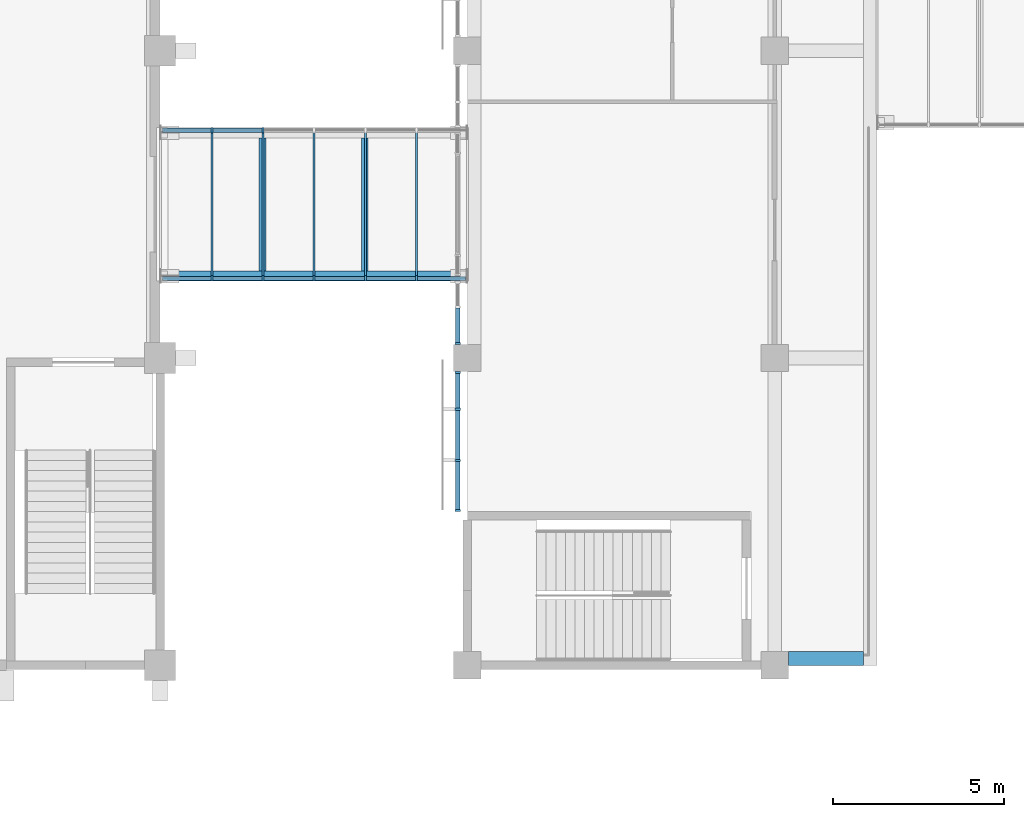
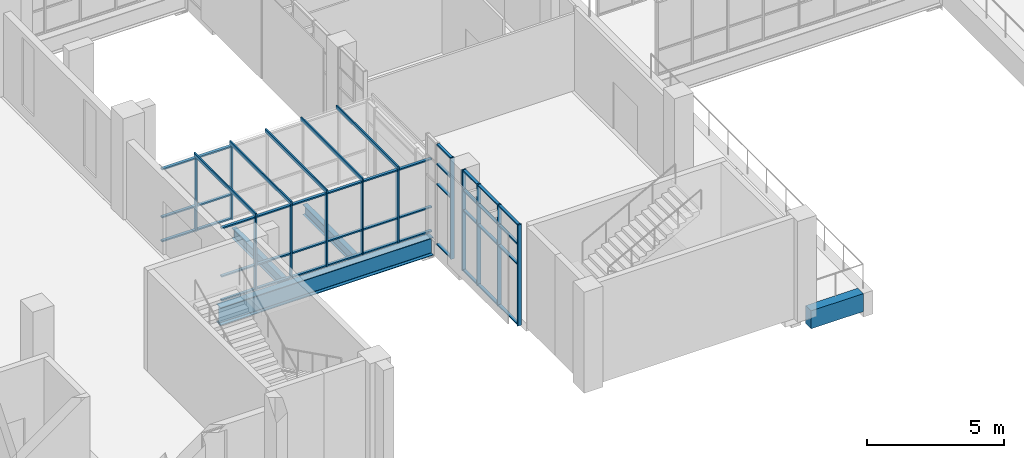
# One storey, part 7 of 88: 57 members, 4 beams, 5 elements without a shape of their own.
"""IFC4 building model written with IfcOpenShell, lengths in metres."""

from ifc_helpers import new_model, si_unit, direction, frame, origin, origin_2d, place, context, subcontext, project, spatial, rectangle, i_section, extrude, material, layer, layer_set, material_profile, profile_set, type_object, element, aggregate, save


model = new_model("IFC4")

# Units and contexts
model_context = context("Model", 3, precision=1e-05, world=origin(), true_north=direction((0.0, 1.0)))
body_context = subcontext(model_context, "Body", "Model", "MODEL_VIEW")
ifc_project = project(units=[si_unit("LENGTHUNIT", "METRE"), si_unit("AREAUNIT", "SQUARE_METRE"), si_unit("VOLUMEUNIT", "CUBIC_METRE"), si_unit("PLANEANGLEUNIT", "RADIAN"), si_unit("MASSUNIT", "GRAM", prefix="KILO")], contexts=[model_context])

# Site, building, storey
site_placement = place(None, origin())
site = spatial("IfcSite", under=ifc_project, at=site_placement, CompositionType="ELEMENT")
building_placement = place(site_placement, origin())
building = spatial("IfcBuilding", under=site, at=building_placement, Name="Guidao Yard Department Store", CompositionType="ELEMENT")
storey_placement = place(building_placement, frame((0.0, 0.0, 6.0)))
storey = spatial("IfcBuildingStorey", under=building, at=storey_placement, Name="L01", CompositionType="ELEMENT", Elevation=6.0)

# Beams
ifc_material_1 = material(Name="Concrete C40", Category="concrete")
ifc_material_profile_1 = material_profile(ifc_material_1, rectangle(XDim=0.39990234375, YDim=0.800048828125, at=origin_2d()), Name="Edge beam 400 x 800 C40")
ifc_profile_set_1 = profile_set([ifc_material_profile_1], Name="Concrete C40")
beam_type_1 = type_object("IfcBeamType", Name="Edge beam 400 x 800 C40", PredefinedType="BEAM", material=ifc_profile_set_1)
beam_1_placement = place(storey_placement, frame((81.39990234375, 45.199951171875, -0.39990234375), z_axis=(1.0, 0.0, 0.0), x_axis=(0.0, 1.0, 0.0)))
element("IfcBeam", 1, at=beam_1_placement, inside=storey, type_object=beam_type_1, Name="Beam EB39", PredefinedType="BEAM", context=body_context, shape_type="SweptSolid", body=[
    extrude(rectangle(XDim=0.39990234375, YDim=0.800048828125, at=origin_2d()), origin(), (0.0, 0.0, 1.0), 2.2001953125),
])
ifc_material_2 = material(Name="Steel Q355B", Category="steel")
ifc_material_profile_2 = material_profile(ifc_material_2, i_section(OverallWidth=0.199951171875, OverallDepth=0.449951171875, WebThickness=0.009033203125, FlangeThickness=0.013916015625, FilletRadius=0.012939453125, at=origin_2d()), Name="HN 450x200x9x14")
ifc_profile_set_2 = profile_set([ifc_material_profile_2], Name="Steel Q355B")
beam_type_2 = type_object("IfcBeamType", Name="HN 450x200x9x14", PredefinedType="BEAM", material=ifc_profile_set_2)
for number, where, z_axis, x_axis, name in (
    (2, (66.0048828125, 56.550048828125, -0.47509765625), (0.0, 1.0, 0.0), (-1.0, 0.0, 0.0), "Bridge cross beam BR01-1"),
    (3, (68.9951171875, 56.550048828125, -0.47509765625), (0.0, 1.0, 0.0), (-1.0, 0.0, 0.0), "Bridge cross beam BR01-2"),
):
    element("IfcBeam", number, at=place(storey_placement, frame(where, z_axis=z_axis, x_axis=x_axis)), inside=storey, type_object=beam_type_2, Name=name, PredefinedType="BEAM", context=body_context, shape_type="SweptSolid", body=[
        extrude(i_section(OverallWidth=0.199951171875, OverallDepth=0.449951171875, WebThickness=0.009033203125, FlangeThickness=0.013916015625, FilletRadius=0.012939453125, at=origin_2d()), origin(), (0.0, 0.0, 1.0), 3.89990234375),
    ])
ifc_material_3 = material(Name="Steel Q355B", Category="steel")
ifc_material_profile_3 = material_profile(ifc_material_3, i_section(OverallWidth=0.300048828125, OverallDepth=0.800048828125, WebThickness=0.013916015625, FlangeThickness=0.02587890625, FilletRadius=0.01806640625, at=origin_2d()), Name="HN 800x300x14x26")
ifc_profile_set_3 = profile_set([ifc_material_profile_3], Name="Steel Q355B")
beam_type_3 = type_object("IfcBeamType", Name="HN 800x300x14x26", PredefinedType="BEAM", material=ifc_profile_set_3)
beam_2_placement = place(storey_placement, frame((63.014892578125, 56.39990234375, -0.64990234375), z_axis=(1.0, 0.0, 0.0), x_axis=(0.0, 1.0, 0.0)))
element("IfcBeam", 4, at=beam_2_placement, inside=storey, type_object=beam_type_3, Name="Bridge girder BR01S", PredefinedType="BEAM", context=body_context, shape_type="SweptSolid", body=[
    extrude(i_section(OverallWidth=0.300048828125, OverallDepth=0.800048828125, WebThickness=0.013916015625, FlangeThickness=0.02587890625, FilletRadius=0.01806640625, at=origin_2d()), origin(), (0.0, 0.0, 1.0), 8.97021484375),
])

# Curtain wall, members
ifc_material_4 = material(Name="Aluminium and glass", Category="aluminium")
ifc_layer_1 = layer(ifc_material_4, 0.159912109375)
ifc_layer_set_1 = layer_set([ifc_layer_1], Name="Shopfront curtain wall CW1 1500 module")
curtain_wall_type_1 = type_object("IfcCurtainWallType", Name="Shopfront curtain wall CW1 1500 module", PredefinedType="NOTDEFINED", material=ifc_layer_set_1)
curtain_wall_1_placement = place(storey_placement, origin())
curtain_wall_1 = element("IfcCurtainWall", 5, at=curtain_wall_1_placement, inside=storey, type_object=curtain_wall_type_1, Name="Arcade shop front", PredefinedType="NOTDEFINED")
ifc_material_5 = material(Name="Aluminium 6063-T5", Category="aluminium")
ifc_material_profile_4 = material_profile(ifc_material_5, rectangle(XDim=0.06005859375, YDim=0.159912109375, at=origin_2d()), Name="Mullion M1 60 x 160 aluminium pressure plate")
ifc_profile_set_4 = profile_set([ifc_material_profile_4], Name="Aluminium 6063-T5")
member_type_1 = type_object("IfcMemberType", Name="Mullion M1 60 x 160 aluminium pressure plate", PredefinedType="MULLION", material=ifc_profile_set_4)
member_1_placement = place(storey_placement, frame((71.719970703125, 49.530029296875, 0.0), z_axis=(0.0, 0.0, 1.0), x_axis=(0.0, 1.0, 0.0)))
member_1 = element("IfcMember", 6, at=member_1_placement, type_object=member_type_1, Name="CW-AS-L01-01 mullion 1", PredefinedType="MULLION", context=body_context, shape_type="SweptSolid", body=[
    extrude(rectangle(XDim=0.06005859375, YDim=0.159912109375, at=origin_2d()), origin(), (0.0, 0.0, 1.0), 4.5),
])
member_2_placement = place(storey_placement, frame((71.719970703125, 51.0, 0.0), z_axis=(0.0, 0.0, 1.0), x_axis=(0.0, 1.0, 0.0)))
member_2 = element("IfcMember", 7, at=member_2_placement, type_object=member_type_1, Name="CW-AS-L01-01 mullion 2", PredefinedType="MULLION", context=body_context, shape_type="SweptSolid", body=[
    extrude(rectangle(XDim=0.06005859375, YDim=0.159912109375, at=origin_2d()), origin(), (0.0, 0.0, 1.0), 4.5),
])
member_3_placement = place(storey_placement, frame((71.719970703125, 52.5, 0.0), z_axis=(0.0, 0.0, 1.0), x_axis=(0.0, 1.0, 0.0)))
member_3 = element("IfcMember", 8, at=member_3_placement, type_object=member_type_1, Name="CW-AS-L01-01 mullion 3", PredefinedType="MULLION", context=body_context, shape_type="SweptSolid", body=[
    extrude(rectangle(XDim=0.06005859375, YDim=0.159912109375, at=origin_2d()), origin(), (0.0, 0.0, 1.0), 4.5),
])
member_4_placement = place(storey_placement, frame((71.719970703125, 53.570068359375, 0.0), z_axis=(0.0, 0.0, 1.0), x_axis=(0.0, 1.0, 0.0)))
member_4 = element("IfcMember", 9, at=member_4_placement, type_object=member_type_1, Name="CW-AS-L01-01 mullion 4", PredefinedType="MULLION", context=body_context, shape_type="SweptSolid", body=[
    extrude(rectangle(XDim=0.06005859375, YDim=0.159912109375, at=origin_2d()), origin(), (0.0, 0.0, 1.0), 4.5),
])

# Curtain wall, member
curtain_wall_2_placement = place(storey_placement, origin())
curtain_wall_2 = element("IfcCurtainWall", 10, at=curtain_wall_2_placement, inside=storey, type_object=curtain_wall_type_1, Name="Arcade shop front", PredefinedType="NOTDEFINED")
member_5_placement = place(storey_placement, frame((71.719970703125, 54.429931640625, 0.0), z_axis=(0.0, 0.0, 1.0), x_axis=(0.0, 1.0, 0.0)))
member_5 = element("IfcMember", 11, at=member_5_placement, type_object=member_type_1, Name="CW-AS-L01-02 mullion 1", PredefinedType="MULLION", context=body_context, shape_type="SweptSolid", body=[
    extrude(rectangle(XDim=0.06005859375, YDim=0.159912109375, at=origin_2d()), origin(), (0.0, 0.0, 1.0), 4.5),
])

# Curtain wall, members
ifc_material_6 = material(Name="Aluminium and glass", Category="aluminium")
ifc_layer_2 = layer(ifc_material_6, 0.159912109375)
ifc_layer_set_2 = layer_set([ifc_layer_2], Name="Bridge glazing CW5 1500 module")
curtain_wall_type_2 = type_object("IfcCurtainWallType", Name="Bridge glazing CW5 1500 module", PredefinedType="NOTDEFINED", material=ifc_layer_set_2)
curtain_wall_3_placement = place(storey_placement, origin())
curtain_wall_3 = element("IfcCurtainWall", 12, at=curtain_wall_3_placement, inside=storey, type_object=curtain_wall_type_2, Name="Bridge glazing BR01 S", PredefinedType="NOTDEFINED")
member_6_placement = place(storey_placement, frame((64.514892578125, 56.330078125, 0.0), z_axis=(0.0, 0.0, 1.0), x_axis=(-1.0, 0.0, 0.0)))
member_6 = element("IfcMember", 13, at=member_6_placement, type_object=member_type_1, Name="CW-S-L01-01 mullion 2", PredefinedType="MULLION", context=body_context, shape_type="SweptSolid", body=[
    extrude(rectangle(XDim=0.06005859375, YDim=0.159912109375, at=origin_2d()), origin(), (0.0, 0.0, 1.0), 3.27001953125),
])
member_7_placement = place(storey_placement, frame((66.014892578125, 56.330078125, 0.0), z_axis=(0.0, 0.0, 1.0), x_axis=(-1.0, 0.0, 0.0)))
member_7 = element("IfcMember", 14, at=member_7_placement, type_object=member_type_1, Name="CW-S-L01-01 mullion 3", PredefinedType="MULLION", context=body_context, shape_type="SweptSolid", body=[
    extrude(rectangle(XDim=0.06005859375, YDim=0.159912109375, at=origin_2d()), origin(), (0.0, 0.0, 1.0), 3.27001953125),
])
member_8_placement = place(storey_placement, frame((67.514892578125, 56.330078125, 0.0), z_axis=(0.0, 0.0, 1.0), x_axis=(-1.0, 0.0, 0.0)))
member_8 = element("IfcMember", 15, at=member_8_placement, type_object=member_type_1, Name="CW-S-L01-01 mullion 4", PredefinedType="MULLION", context=body_context, shape_type="SweptSolid", body=[
    extrude(rectangle(XDim=0.06005859375, YDim=0.159912109375, at=origin_2d()), origin(), (0.0, 0.0, 1.0), 3.27001953125),
])
member_9_placement = place(storey_placement, frame((69.014892578125, 56.330078125, 0.0), z_axis=(0.0, 0.0, 1.0), x_axis=(-1.0, 0.0, 0.0)))
member_9 = element("IfcMember", 16, at=member_9_placement, type_object=member_type_1, Name="CW-S-L01-01 mullion 5", PredefinedType="MULLION", context=body_context, shape_type="SweptSolid", body=[
    extrude(rectangle(XDim=0.06005859375, YDim=0.159912109375, at=origin_2d()), origin(), (0.0, 0.0, 1.0), 3.27001953125),
])
member_10_placement = place(storey_placement, frame((70.514892578125, 56.330078125, 0.0), z_axis=(0.0, 0.0, 1.0), x_axis=(-1.0, 0.0, 0.0)))
member_10 = element("IfcMember", 17, at=member_10_placement, type_object=member_type_1, Name="CW-S-L01-01 mullion 6", PredefinedType="MULLION", context=body_context, shape_type="SweptSolid", body=[
    extrude(rectangle(XDim=0.06005859375, YDim=0.159912109375, at=origin_2d()), origin(), (0.0, 0.0, 1.0), 3.27001953125),
])

curtain_wall_4_placement = place(storey_placement, origin())
curtain_wall_4 = element("IfcCurtainWall", 18, at=curtain_wall_4_placement, inside=storey, type_object=curtain_wall_type_2, Name="Bridge glazing BR01 N", PredefinedType="NOTDEFINED")
member_11_placement = place(storey_placement, frame((64.514892578125, 60.669921875, 0.0), z_axis=(0.0, 0.0, 1.0), x_axis=(1.0, 0.0, 0.0)))
member_11 = element("IfcMember", 19, at=member_11_placement, type_object=member_type_1, Name="CW-N-L01-02 mullion 2", PredefinedType="MULLION", context=body_context, shape_type="SweptSolid", body=[
    extrude(rectangle(XDim=0.06005859375, YDim=0.159912109375, at=origin_2d()), origin(), (0.0, 0.0, 1.0), 3.27001953125),
])
member_12_placement = place(storey_placement, frame((66.014892578125, 60.669921875, 0.0), z_axis=(0.0, 0.0, 1.0), x_axis=(1.0, 0.0, 0.0)))
member_12 = element("IfcMember", 20, at=member_12_placement, type_object=member_type_1, Name="CW-N-L01-02 mullion 3", PredefinedType="MULLION", context=body_context, shape_type="SweptSolid", body=[
    extrude(rectangle(XDim=0.06005859375, YDim=0.159912109375, at=origin_2d()), origin(), (0.0, 0.0, 1.0), 3.27001953125),
])

curtain_wall_5_placement = place(storey_placement, origin())
curtain_wall_5 = element("IfcCurtainWall", 21, at=curtain_wall_5_placement, inside=storey, type_object=curtain_wall_type_2, Name="Bridge roof glazing BR01", PredefinedType="NOTDEFINED")
ifc_material_7 = material(Name="Aluminium 6063-T5", Category="aluminium")
ifc_material_profile_5 = material_profile(ifc_material_7, rectangle(XDim=0.06005859375, YDim=0.159912109375, at=origin_2d()), Name="Roof bar RB1 60 x 160 aluminium")
ifc_profile_set_5 = profile_set([ifc_material_profile_5], Name="Aluminium 6063-T5")
member_type_2 = type_object("IfcMemberType", Name="Roof bar RB1 60 x 160 aluminium", PredefinedType="USERDEFINED", material=ifc_profile_set_5)
member_13_placement = place(storey_placement, frame((64.514892578125, 56.25, 3.35009765625), z_axis=(0.0, 1.0, 0.0), x_axis=(-1.0, 0.0, 0.0)))
member_13 = element("IfcMember", 22, at=member_13_placement, type_object=member_type_2, Name="Bridge roof bar BR01", ObjectType="TRANSOM", PredefinedType="USERDEFINED", context=body_context, shape_type="SweptSolid", body=[
    extrude(rectangle(XDim=0.06005859375, YDim=0.159912109375, at=origin_2d()), origin(), (0.0, 0.0, 1.0), 4.5),
])
member_14_placement = place(storey_placement, frame((66.014892578125, 56.25, 3.35009765625), z_axis=(0.0, 1.0, 0.0), x_axis=(-1.0, 0.0, 0.0)))
member_14 = element("IfcMember", 23, at=member_14_placement, type_object=member_type_2, Name="Bridge roof bar BR01", ObjectType="TRANSOM", PredefinedType="USERDEFINED", context=body_context, shape_type="SweptSolid", body=[
    extrude(rectangle(XDim=0.06005859375, YDim=0.159912109375, at=origin_2d()), origin(), (0.0, 0.0, 1.0), 4.5),
])
member_15_placement = place(storey_placement, frame((67.514892578125, 56.25, 3.35009765625), z_axis=(0.0, 1.0, 0.0), x_axis=(-1.0, 0.0, 0.0)))
member_15 = element("IfcMember", 24, at=member_15_placement, type_object=member_type_2, Name="Bridge roof bar BR01", ObjectType="TRANSOM", PredefinedType="USERDEFINED", context=body_context, shape_type="SweptSolid", body=[
    extrude(rectangle(XDim=0.06005859375, YDim=0.159912109375, at=origin_2d()), origin(), (0.0, 0.0, 1.0), 4.5),
])
member_16_placement = place(storey_placement, frame((69.014892578125, 56.25, 3.35009765625), z_axis=(0.0, 1.0, 0.0), x_axis=(-1.0, 0.0, 0.0)))
member_16 = element("IfcMember", 25, at=member_16_placement, type_object=member_type_2, Name="Bridge roof bar BR01", ObjectType="TRANSOM", PredefinedType="USERDEFINED", context=body_context, shape_type="SweptSolid", body=[
    extrude(rectangle(XDim=0.06005859375, YDim=0.159912109375, at=origin_2d()), origin(), (0.0, 0.0, 1.0), 4.5),
])
member_17_placement = place(storey_placement, frame((70.514892578125, 56.25, 3.35009765625), z_axis=(0.0, 1.0, 0.0), x_axis=(-1.0, 0.0, 0.0)))
member_17 = element("IfcMember", 26, at=member_17_placement, type_object=member_type_2, Name="Bridge roof bar BR01", ObjectType="TRANSOM", PredefinedType="USERDEFINED", context=body_context, shape_type="SweptSolid", body=[
    extrude(rectangle(XDim=0.06005859375, YDim=0.159912109375, at=origin_2d()), origin(), (0.0, 0.0, 1.0), 4.5),
])
aggregate(curtain_wall_5, [member_13, member_14, member_15, member_16, member_17])

# Member
ifc_material_8 = material(Name="Aluminium 6063-T5", Category="aluminium")
ifc_material_profile_6 = material_profile(ifc_material_8, rectangle(XDim=0.1201171875, YDim=0.06005859375, at=origin_2d()), Name="Transom T1 60 x 120 aluminium pressure plate")
ifc_profile_set_6 = profile_set([ifc_material_profile_6], Name="Aluminium 6063-T5")
member_type_3 = type_object("IfcMemberType", Name="Transom T1 60 x 120 aluminium pressure plate", PredefinedType="USERDEFINED", material=ifc_profile_set_6)
member_18_placement = place(storey_placement, frame((71.719970703125, 49.56005859375, 0.030029296875), z_axis=(0.0, 1.0, 0.0), x_axis=(-1.0, 0.0, 0.0)))
member_18 = element("IfcMember", 27, at=member_18_placement, type_object=member_type_3, Name="CW-AS-L01-01 transom 1.1", ObjectType="TRANSOM", PredefinedType="USERDEFINED", context=body_context, shape_type="SweptSolid", body=[
    extrude(rectangle(XDim=0.1201171875, YDim=0.06005859375, at=origin_2d()), origin(), (0.0, 0.0, 1.0), 1.409912109375),
])

member_19_placement = place(storey_placement, frame((71.719970703125, 49.56005859375, 2.699951171875), z_axis=(0.0, 1.0, 0.0), x_axis=(-1.0, 0.0, 0.0)))
member_19 = element("IfcMember", 28, at=member_19_placement, type_object=member_type_3, Name="CW-AS-L01-01 transom 1.2", ObjectType="TRANSOM", PredefinedType="USERDEFINED", context=body_context, shape_type="SweptSolid", body=[
    extrude(rectangle(XDim=0.1201171875, YDim=0.06005859375, at=origin_2d()), origin(), (0.0, 0.0, 1.0), 1.409912109375),
])

member_20_placement = place(storey_placement, frame((71.719970703125, 49.56005859375, 3.60009765625), z_axis=(0.0, 1.0, 0.0), x_axis=(-1.0, 0.0, 0.0)))
member_20 = element("IfcMember", 29, at=member_20_placement, type_object=member_type_3, Name="CW-AS-L01-01 transom 1.3", ObjectType="TRANSOM", PredefinedType="USERDEFINED", context=body_context, shape_type="SweptSolid", body=[
    extrude(rectangle(XDim=0.1201171875, YDim=0.06005859375, at=origin_2d()), origin(), (0.0, 0.0, 1.0), 1.409912109375),
])

member_21_placement = place(storey_placement, frame((71.719970703125, 49.56005859375, 4.469970703125), z_axis=(0.0, 1.0, 0.0), x_axis=(-1.0, 0.0, 0.0)))
member_21 = element("IfcMember", 30, at=member_21_placement, type_object=member_type_3, Name="CW-AS-L01-01 transom 1.4", ObjectType="TRANSOM", PredefinedType="USERDEFINED", context=body_context, shape_type="SweptSolid", body=[
    extrude(rectangle(XDim=0.1201171875, YDim=0.06005859375, at=origin_2d()), origin(), (0.0, 0.0, 1.0), 1.409912109375),
])

member_22_placement = place(storey_placement, frame((71.719970703125, 51.030029296875, 0.030029296875), z_axis=(0.0, 1.0, 0.0), x_axis=(-1.0, 0.0, 0.0)))
member_22 = element("IfcMember", 31, at=member_22_placement, type_object=member_type_3, Name="CW-AS-L01-01 transom 2.1", ObjectType="TRANSOM", PredefinedType="USERDEFINED", context=body_context, shape_type="SweptSolid", body=[
    extrude(rectangle(XDim=0.1201171875, YDim=0.06005859375, at=origin_2d()), origin(), (0.0, 0.0, 1.0), 1.43994140625),
])

member_23_placement = place(storey_placement, frame((71.719970703125, 51.030029296875, 2.699951171875), z_axis=(0.0, 1.0, 0.0), x_axis=(-1.0, 0.0, 0.0)))
member_23 = element("IfcMember", 32, at=member_23_placement, type_object=member_type_3, Name="CW-AS-L01-01 transom 2.2", ObjectType="TRANSOM", PredefinedType="USERDEFINED", context=body_context, shape_type="SweptSolid", body=[
    extrude(rectangle(XDim=0.1201171875, YDim=0.06005859375, at=origin_2d()), origin(), (0.0, 0.0, 1.0), 1.43994140625),
])

member_24_placement = place(storey_placement, frame((71.719970703125, 51.030029296875, 3.60009765625), z_axis=(0.0, 1.0, 0.0), x_axis=(-1.0, 0.0, 0.0)))
member_24 = element("IfcMember", 33, at=member_24_placement, type_object=member_type_3, Name="CW-AS-L01-01 transom 2.3", ObjectType="TRANSOM", PredefinedType="USERDEFINED", context=body_context, shape_type="SweptSolid", body=[
    extrude(rectangle(XDim=0.1201171875, YDim=0.06005859375, at=origin_2d()), origin(), (0.0, 0.0, 1.0), 1.43994140625),
])

member_25_placement = place(storey_placement, frame((71.719970703125, 51.030029296875, 4.469970703125), z_axis=(0.0, 1.0, 0.0), x_axis=(-1.0, 0.0, 0.0)))
member_25 = element("IfcMember", 34, at=member_25_placement, type_object=member_type_3, Name="CW-AS-L01-01 transom 2.4", ObjectType="TRANSOM", PredefinedType="USERDEFINED", context=body_context, shape_type="SweptSolid", body=[
    extrude(rectangle(XDim=0.1201171875, YDim=0.06005859375, at=origin_2d()), origin(), (0.0, 0.0, 1.0), 1.43994140625),
])

member_26_placement = place(storey_placement, frame((71.719970703125, 52.530029296875, 0.030029296875), z_axis=(0.0, 1.0, 0.0), x_axis=(-1.0, 0.0, 0.0)))
member_26 = element("IfcMember", 35, at=member_26_placement, type_object=member_type_3, Name="CW-AS-L01-01 transom 3.1", ObjectType="TRANSOM", PredefinedType="USERDEFINED", context=body_context, shape_type="SweptSolid", body=[
    extrude(rectangle(XDim=0.1201171875, YDim=0.06005859375, at=origin_2d()), origin(), (0.0, 0.0, 1.0), 1.010009765625),
])

member_27_placement = place(storey_placement, frame((71.719970703125, 52.530029296875, 2.699951171875), z_axis=(0.0, 1.0, 0.0), x_axis=(-1.0, 0.0, 0.0)))
member_27 = element("IfcMember", 36, at=member_27_placement, type_object=member_type_3, Name="CW-AS-L01-01 transom 3.2", ObjectType="TRANSOM", PredefinedType="USERDEFINED", context=body_context, shape_type="SweptSolid", body=[
    extrude(rectangle(XDim=0.1201171875, YDim=0.06005859375, at=origin_2d()), origin(), (0.0, 0.0, 1.0), 1.010009765625),
])

member_28_placement = place(storey_placement, frame((71.719970703125, 52.530029296875, 3.60009765625), z_axis=(0.0, 1.0, 0.0), x_axis=(-1.0, 0.0, 0.0)))
member_28 = element("IfcMember", 37, at=member_28_placement, type_object=member_type_3, Name="CW-AS-L01-01 transom 3.3", ObjectType="TRANSOM", PredefinedType="USERDEFINED", context=body_context, shape_type="SweptSolid", body=[
    extrude(rectangle(XDim=0.1201171875, YDim=0.06005859375, at=origin_2d()), origin(), (0.0, 0.0, 1.0), 1.010009765625),
])

member_29_placement = place(storey_placement, frame((71.719970703125, 52.530029296875, 4.469970703125), z_axis=(0.0, 1.0, 0.0), x_axis=(-1.0, 0.0, 0.0)))
member_29 = element("IfcMember", 38, at=member_29_placement, type_object=member_type_3, Name="CW-AS-L01-01 transom 3.4", ObjectType="TRANSOM", PredefinedType="USERDEFINED", context=body_context, shape_type="SweptSolid", body=[
    extrude(rectangle(XDim=0.1201171875, YDim=0.06005859375, at=origin_2d()), origin(), (0.0, 0.0, 1.0), 1.010009765625),
])

aggregate(curtain_wall_1, [member_1, member_2, member_3, member_4, member_18, member_19, member_20, member_21, member_22, member_23, member_24, member_25, member_26, member_27, member_28, member_29])

member_30_placement = place(storey_placement, frame((71.719970703125, 54.4599609375, 0.030029296875), z_axis=(0.0, 1.0, 0.0), x_axis=(-1.0, 0.0, 0.0)))
member_30 = element("IfcMember", 39, at=member_30_placement, type_object=member_type_3, Name="CW-AS-L01-02 transom 1.1", ObjectType="TRANSOM", PredefinedType="USERDEFINED", context=body_context, shape_type="SweptSolid", body=[
    extrude(rectangle(XDim=0.1201171875, YDim=0.06005859375, at=origin_2d()), origin(), (0.0, 0.0, 1.0), 1.010009765625),
])

member_31_placement = place(storey_placement, frame((71.719970703125, 54.4599609375, 2.699951171875), z_axis=(0.0, 1.0, 0.0), x_axis=(-1.0, 0.0, 0.0)))
member_31 = element("IfcMember", 40, at=member_31_placement, type_object=member_type_3, Name="CW-AS-L01-02 transom 1.2", ObjectType="TRANSOM", PredefinedType="USERDEFINED", context=body_context, shape_type="SweptSolid", body=[
    extrude(rectangle(XDim=0.1201171875, YDim=0.06005859375, at=origin_2d()), origin(), (0.0, 0.0, 1.0), 1.010009765625),
])

member_32_placement = place(storey_placement, frame((71.719970703125, 54.4599609375, 3.60009765625), z_axis=(0.0, 1.0, 0.0), x_axis=(-1.0, 0.0, 0.0)))
member_32 = element("IfcMember", 41, at=member_32_placement, type_object=member_type_3, Name="CW-AS-L01-02 transom 1.3", ObjectType="TRANSOM", PredefinedType="USERDEFINED", context=body_context, shape_type="SweptSolid", body=[
    extrude(rectangle(XDim=0.1201171875, YDim=0.06005859375, at=origin_2d()), origin(), (0.0, 0.0, 1.0), 1.010009765625),
])

member_33_placement = place(storey_placement, frame((71.719970703125, 54.4599609375, 4.469970703125), z_axis=(0.0, 1.0, 0.0), x_axis=(-1.0, 0.0, 0.0)))
member_33 = element("IfcMember", 42, at=member_33_placement, type_object=member_type_3, Name="CW-AS-L01-02 transom 1.4", ObjectType="TRANSOM", PredefinedType="USERDEFINED", context=body_context, shape_type="SweptSolid", body=[
    extrude(rectangle(XDim=0.1201171875, YDim=0.06005859375, at=origin_2d()), origin(), (0.0, 0.0, 1.0), 1.010009765625),
])

aggregate(curtain_wall_2, [member_5, member_30, member_31, member_32, member_33])

member_34_placement = place(storey_placement, frame((64.485107421875, 56.330078125, 0.030029296875), z_axis=(-1.0, 0.0, 0.0), x_axis=(0.0, -1.0, 0.0)))
member_34 = element("IfcMember", 43, at=member_34_placement, type_object=member_type_3, Name="CW-S-L01-01 transom 1.1", ObjectType="TRANSOM", PredefinedType="USERDEFINED", context=body_context, shape_type="SweptSolid", body=[
    extrude(rectangle(XDim=0.1201171875, YDim=0.06005859375, at=origin_2d()), origin(), (0.0, 0.0, 1.0), 1.41015625),
])

member_35_placement = place(storey_placement, frame((64.485107421875, 56.330078125, 1.10009765625), z_axis=(-1.0, 0.0, 0.0), x_axis=(0.0, -1.0, 0.0)))
member_35 = element("IfcMember", 44, at=member_35_placement, type_object=member_type_3, Name="CW-S-L01-01 transom 1.2", ObjectType="TRANSOM", PredefinedType="USERDEFINED", context=body_context, shape_type="SweptSolid", body=[
    extrude(rectangle(XDim=0.1201171875, YDim=0.06005859375, at=origin_2d()), origin(), (0.0, 0.0, 1.0), 1.41015625),
])

member_36_placement = place(storey_placement, frame((64.485107421875, 56.330078125, 3.239990234375), z_axis=(-1.0, 0.0, 0.0), x_axis=(0.0, -1.0, 0.0)))
member_36 = element("IfcMember", 45, at=member_36_placement, type_object=member_type_3, Name="CW-S-L01-01 transom 1.3", ObjectType="TRANSOM", PredefinedType="USERDEFINED", context=body_context, shape_type="SweptSolid", body=[
    extrude(rectangle(XDim=0.1201171875, YDim=0.06005859375, at=origin_2d()), origin(), (0.0, 0.0, 1.0), 1.41015625),
])

member_37_placement = place(storey_placement, frame((65.985107421875, 56.330078125, 0.030029296875), z_axis=(-1.0, 0.0, 0.0), x_axis=(0.0, -1.0, 0.0)))
member_37 = element("IfcMember", 46, at=member_37_placement, type_object=member_type_3, Name="CW-S-L01-01 transom 2.1", ObjectType="TRANSOM", PredefinedType="USERDEFINED", context=body_context, shape_type="SweptSolid", body=[
    extrude(rectangle(XDim=0.1201171875, YDim=0.06005859375, at=origin_2d()), origin(), (0.0, 0.0, 1.0), 1.440185546875),
])

member_38_placement = place(storey_placement, frame((65.985107421875, 56.330078125, 1.10009765625), z_axis=(-1.0, 0.0, 0.0), x_axis=(0.0, -1.0, 0.0)))
member_38 = element("IfcMember", 47, at=member_38_placement, type_object=member_type_3, Name="CW-S-L01-01 transom 2.2", ObjectType="TRANSOM", PredefinedType="USERDEFINED", context=body_context, shape_type="SweptSolid", body=[
    extrude(rectangle(XDim=0.1201171875, YDim=0.06005859375, at=origin_2d()), origin(), (0.0, 0.0, 1.0), 1.440185546875),
])

member_39_placement = place(storey_placement, frame((65.985107421875, 56.330078125, 3.239990234375), z_axis=(-1.0, 0.0, 0.0), x_axis=(0.0, -1.0, 0.0)))
member_39 = element("IfcMember", 48, at=member_39_placement, type_object=member_type_3, Name="CW-S-L01-01 transom 2.3", ObjectType="TRANSOM", PredefinedType="USERDEFINED", context=body_context, shape_type="SweptSolid", body=[
    extrude(rectangle(XDim=0.1201171875, YDim=0.06005859375, at=origin_2d()), origin(), (0.0, 0.0, 1.0), 1.440185546875),
])

member_40_placement = place(storey_placement, frame((67.485107421875, 56.330078125, 0.030029296875), z_axis=(-1.0, 0.0, 0.0), x_axis=(0.0, -1.0, 0.0)))
member_40 = element("IfcMember", 49, at=member_40_placement, type_object=member_type_3, Name="CW-S-L01-01 transom 3.1", ObjectType="TRANSOM", PredefinedType="USERDEFINED", context=body_context, shape_type="SweptSolid", body=[
    extrude(rectangle(XDim=0.1201171875, YDim=0.06005859375, at=origin_2d()), origin(), (0.0, 0.0, 1.0), 1.440185546875),
])

member_41_placement = place(storey_placement, frame((67.485107421875, 56.330078125, 1.10009765625), z_axis=(-1.0, 0.0, 0.0), x_axis=(0.0, -1.0, 0.0)))
member_41 = element("IfcMember", 50, at=member_41_placement, type_object=member_type_3, Name="CW-S-L01-01 transom 3.2", ObjectType="TRANSOM", PredefinedType="USERDEFINED", context=body_context, shape_type="SweptSolid", body=[
    extrude(rectangle(XDim=0.1201171875, YDim=0.06005859375, at=origin_2d()), origin(), (0.0, 0.0, 1.0), 1.440185546875),
])

member_42_placement = place(storey_placement, frame((67.485107421875, 56.330078125, 3.239990234375), z_axis=(-1.0, 0.0, 0.0), x_axis=(0.0, -1.0, 0.0)))
member_42 = element("IfcMember", 51, at=member_42_placement, type_object=member_type_3, Name="CW-S-L01-01 transom 3.3", ObjectType="TRANSOM", PredefinedType="USERDEFINED", context=body_context, shape_type="SweptSolid", body=[
    extrude(rectangle(XDim=0.1201171875, YDim=0.06005859375, at=origin_2d()), origin(), (0.0, 0.0, 1.0), 1.440185546875),
])

member_43_placement = place(storey_placement, frame((68.985107421875, 56.330078125, 0.030029296875), z_axis=(-1.0, 0.0, 0.0), x_axis=(0.0, -1.0, 0.0)))
member_43 = element("IfcMember", 52, at=member_43_placement, type_object=member_type_3, Name="CW-S-L01-01 transom 4.1", ObjectType="TRANSOM", PredefinedType="USERDEFINED", context=body_context, shape_type="SweptSolid", body=[
    extrude(rectangle(XDim=0.1201171875, YDim=0.06005859375, at=origin_2d()), origin(), (0.0, 0.0, 1.0), 1.440185546875),
])

member_44_placement = place(storey_placement, frame((68.985107421875, 56.330078125, 1.10009765625), z_axis=(-1.0, 0.0, 0.0), x_axis=(0.0, -1.0, 0.0)))
member_44 = element("IfcMember", 53, at=member_44_placement, type_object=member_type_3, Name="CW-S-L01-01 transom 4.2", ObjectType="TRANSOM", PredefinedType="USERDEFINED", context=body_context, shape_type="SweptSolid", body=[
    extrude(rectangle(XDim=0.1201171875, YDim=0.06005859375, at=origin_2d()), origin(), (0.0, 0.0, 1.0), 1.440185546875),
])

member_45_placement = place(storey_placement, frame((68.985107421875, 56.330078125, 3.239990234375), z_axis=(-1.0, 0.0, 0.0), x_axis=(0.0, -1.0, 0.0)))
member_45 = element("IfcMember", 54, at=member_45_placement, type_object=member_type_3, Name="CW-S-L01-01 transom 4.3", ObjectType="TRANSOM", PredefinedType="USERDEFINED", context=body_context, shape_type="SweptSolid", body=[
    extrude(rectangle(XDim=0.1201171875, YDim=0.06005859375, at=origin_2d()), origin(), (0.0, 0.0, 1.0), 1.440185546875),
])

member_46_placement = place(storey_placement, frame((70.485107421875, 56.330078125, 0.030029296875), z_axis=(-1.0, 0.0, 0.0), x_axis=(0.0, -1.0, 0.0)))
member_46 = element("IfcMember", 55, at=member_46_placement, type_object=member_type_3, Name="CW-S-L01-01 transom 5.1", ObjectType="TRANSOM", PredefinedType="USERDEFINED", context=body_context, shape_type="SweptSolid", body=[
    extrude(rectangle(XDim=0.1201171875, YDim=0.06005859375, at=origin_2d()), origin(), (0.0, 0.0, 1.0), 1.440185546875),
])

member_47_placement = place(storey_placement, frame((70.485107421875, 56.330078125, 1.10009765625), z_axis=(-1.0, 0.0, 0.0), x_axis=(0.0, -1.0, 0.0)))
member_47 = element("IfcMember", 56, at=member_47_placement, type_object=member_type_3, Name="CW-S-L01-01 transom 5.2", ObjectType="TRANSOM", PredefinedType="USERDEFINED", context=body_context, shape_type="SweptSolid", body=[
    extrude(rectangle(XDim=0.1201171875, YDim=0.06005859375, at=origin_2d()), origin(), (0.0, 0.0, 1.0), 1.440185546875),
])

member_48_placement = place(storey_placement, frame((70.485107421875, 56.330078125, 3.239990234375), z_axis=(-1.0, 0.0, 0.0), x_axis=(0.0, -1.0, 0.0)))
member_48 = element("IfcMember", 57, at=member_48_placement, type_object=member_type_3, Name="CW-S-L01-01 transom 5.3", ObjectType="TRANSOM", PredefinedType="USERDEFINED", context=body_context, shape_type="SweptSolid", body=[
    extrude(rectangle(XDim=0.1201171875, YDim=0.06005859375, at=origin_2d()), origin(), (0.0, 0.0, 1.0), 1.440185546875),
])

member_49_placement = place(storey_placement, frame((71.93994140625, 56.330078125, 0.030029296875), z_axis=(-1.0, 0.0, 0.0), x_axis=(0.0, -1.0, 0.0)))
member_49 = element("IfcMember", 58, at=member_49_placement, type_object=member_type_3, Name="CW-S-L01-01 transom 6.1", ObjectType="TRANSOM", PredefinedType="USERDEFINED", context=body_context, shape_type="SweptSolid", body=[
    extrude(rectangle(XDim=0.1201171875, YDim=0.06005859375, at=origin_2d()), origin(), (0.0, 0.0, 1.0), 1.39501953125),
])

member_50_placement = place(storey_placement, frame((71.93994140625, 56.330078125, 1.10009765625), z_axis=(-1.0, 0.0, 0.0), x_axis=(0.0, -1.0, 0.0)))
member_50 = element("IfcMember", 59, at=member_50_placement, type_object=member_type_3, Name="CW-S-L01-01 transom 6.2", ObjectType="TRANSOM", PredefinedType="USERDEFINED", context=body_context, shape_type="SweptSolid", body=[
    extrude(rectangle(XDim=0.1201171875, YDim=0.06005859375, at=origin_2d()), origin(), (0.0, 0.0, 1.0), 1.39501953125),
])

member_51_placement = place(storey_placement, frame((71.93994140625, 56.330078125, 3.239990234375), z_axis=(-1.0, 0.0, 0.0), x_axis=(0.0, -1.0, 0.0)))
member_51 = element("IfcMember", 60, at=member_51_placement, type_object=member_type_3, Name="CW-S-L01-01 transom 6.3", ObjectType="TRANSOM", PredefinedType="USERDEFINED", context=body_context, shape_type="SweptSolid", body=[
    extrude(rectangle(XDim=0.1201171875, YDim=0.06005859375, at=origin_2d()), origin(), (0.0, 0.0, 1.0), 1.39501953125),
])

aggregate(curtain_wall_3, [member_6, member_7, member_8, member_9, member_10, member_34, member_35, member_36, member_37, member_38, member_39, member_40, member_41, member_42, member_43, member_44, member_45, member_46, member_47, member_48, member_49, member_50, member_51])

member_52_placement = place(storey_placement, frame((63.074951171875, 60.669921875, 0.030029296875), z_axis=(1.0, 0.0, 0.0), x_axis=(0.0, 1.0, 0.0)))
member_52 = element("IfcMember", 61, at=member_52_placement, type_object=member_type_3, Name="CW-N-L01-02 transom 1.1", ObjectType="TRANSOM", PredefinedType="USERDEFINED", context=body_context, shape_type="SweptSolid", body=[
    extrude(rectangle(XDim=0.1201171875, YDim=0.06005859375, at=origin_2d()), origin(), (0.0, 0.0, 1.0), 1.41015625),
])

member_53_placement = place(storey_placement, frame((63.074951171875, 60.669921875, 1.10009765625), z_axis=(1.0, 0.0, 0.0), x_axis=(0.0, 1.0, 0.0)))
member_53 = element("IfcMember", 62, at=member_53_placement, type_object=member_type_3, Name="CW-N-L01-02 transom 1.2", ObjectType="TRANSOM", PredefinedType="USERDEFINED", context=body_context, shape_type="SweptSolid", body=[
    extrude(rectangle(XDim=0.1201171875, YDim=0.06005859375, at=origin_2d()), origin(), (0.0, 0.0, 1.0), 1.41015625),
])

member_54_placement = place(storey_placement, frame((63.074951171875, 60.669921875, 3.239990234375), z_axis=(1.0, 0.0, 0.0), x_axis=(0.0, 1.0, 0.0)))
member_54 = element("IfcMember", 63, at=member_54_placement, type_object=member_type_3, Name="CW-N-L01-02 transom 1.3", ObjectType="TRANSOM", PredefinedType="USERDEFINED", context=body_context, shape_type="SweptSolid", body=[
    extrude(rectangle(XDim=0.1201171875, YDim=0.06005859375, at=origin_2d()), origin(), (0.0, 0.0, 1.0), 1.41015625),
])

member_55_placement = place(storey_placement, frame((64.544921875, 60.669921875, 0.030029296875), z_axis=(1.0, 0.0, 0.0), x_axis=(0.0, 1.0, 0.0)))
member_55 = element("IfcMember", 64, at=member_55_placement, type_object=member_type_3, Name="CW-N-L01-02 transom 2.1", ObjectType="TRANSOM", PredefinedType="USERDEFINED", context=body_context, shape_type="SweptSolid", body=[
    extrude(rectangle(XDim=0.1201171875, YDim=0.06005859375, at=origin_2d()), origin(), (0.0, 0.0, 1.0), 1.440185546875),
])

member_56_placement = place(storey_placement, frame((64.544921875, 60.669921875, 1.10009765625), z_axis=(1.0, 0.0, 0.0), x_axis=(0.0, 1.0, 0.0)))
member_56 = element("IfcMember", 65, at=member_56_placement, type_object=member_type_3, Name="CW-N-L01-02 transom 2.2", ObjectType="TRANSOM", PredefinedType="USERDEFINED", context=body_context, shape_type="SweptSolid", body=[
    extrude(rectangle(XDim=0.1201171875, YDim=0.06005859375, at=origin_2d()), origin(), (0.0, 0.0, 1.0), 1.440185546875),
])

member_57_placement = place(storey_placement, frame((64.544921875, 60.669921875, 3.239990234375), z_axis=(1.0, 0.0, 0.0), x_axis=(0.0, 1.0, 0.0)))
member_57 = element("IfcMember", 66, at=member_57_placement, type_object=member_type_3, Name="CW-N-L01-02 transom 2.3", ObjectType="TRANSOM", PredefinedType="USERDEFINED", context=body_context, shape_type="SweptSolid", body=[
    extrude(rectangle(XDim=0.1201171875, YDim=0.06005859375, at=origin_2d()), origin(), (0.0, 0.0, 1.0), 1.440185546875),
])

aggregate(curtain_wall_4, [member_11, member_12, member_52, member_53, member_54, member_55, member_56, member_57])

save(model, "model.ifc")
